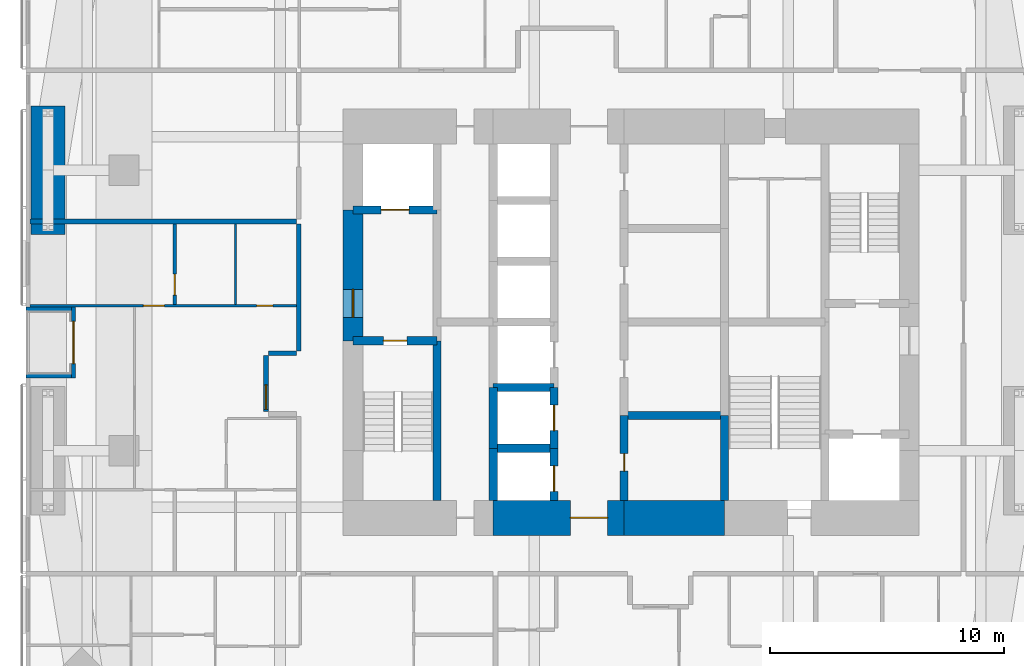
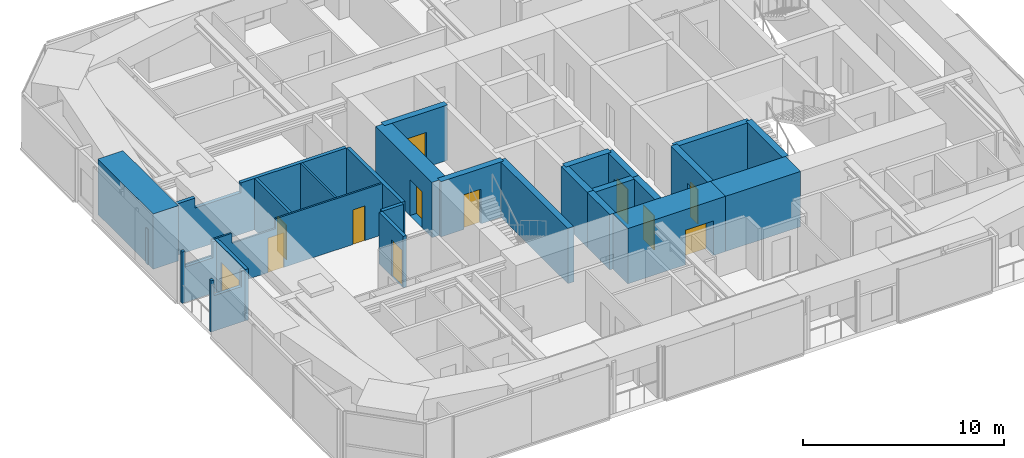
# One storey, part 18 of 23: 26 walls, 12 doors, 12 openings.
"""IFC4 building model written with IfcOpenShell, lengths in metres."""

from ifc_helpers import new_model, si_unit, direction, frame, frame_2d, origin, place, context, subcontext, project, spatial, polyline, rectangle, outline, extrude, material, layer, layer_set, constituent, constituent_set, type_object, element, fill, save


model = new_model("IFC4")

# Units and contexts
model_context = context("Model", 3, precision=1e-05, world=origin(), true_north=direction((0.0, 1.0)))
body_context = subcontext(model_context, "Body", "Model", "MODEL_VIEW")
ifc_project = project(units=[si_unit("LENGTHUNIT", "METRE"), si_unit("AREAUNIT", "SQUARE_METRE"), si_unit("VOLUMEUNIT", "CUBIC_METRE"), si_unit("PLANEANGLEUNIT", "RADIAN"), si_unit("MASSUNIT", "GRAM", prefix="KILO")], contexts=[model_context])

# Site, building, storey
site_placement = place(None, origin())
site = spatial("IfcSite", under=ifc_project, at=site_placement, CompositionType="ELEMENT")
building_placement = place(site_placement, origin())
building = spatial("IfcBuilding", under=site, at=building_placement, Name="Jalousie Tower", CompositionType="ELEMENT")
storey_placement = place(building_placement, frame((0.0, 0.0, 108.199951171875)))
storey = spatial("IfcBuildingStorey", under=building, at=storey_placement, Name="L29", CompositionType="ELEMENT", Elevation=108.199951171875)

# Wall, opening, door
ifc_material_1 = material(Name="Concrete block ASTM C90", Category="concrete")
ifc_constituent_1 = constituent(ifc_material_1, Name="Body")
ifc_material_2 = material(Name="Render")
ifc_constituent_2 = constituent(ifc_material_2, Name="Finish")
ifc_constituent_set_1 = constituent_set(constituents=[ifc_constituent_1, ifc_constituent_2])
wall_type_1 = type_object("IfcWallType", Name="BATHROOM WALL 150", PredefinedType="PLUMBINGWALL", material=ifc_constituent_set_1)
wall_1_placement = place(storey_placement, frame((12.375, 19.25, 0.0), z_axis=(0.0, 0.0, 1.0), x_axis=(0.0, 1.0, 0.0)))
wall_1 = element("IfcWall", 1, at=wall_1_placement, inside=storey, type_object=wall_type_1, Name="Bathroom Wall 150 L29", PredefinedType="PLUMBINGWALL", context=body_context, shape_type="SweptSolid", body=[
    extrude(rectangle(XDim=3.449951171875, YDim=0.14990234375, at=frame_2d((1.72509765625, 0.0))), origin(), (0.0, 0.0, 1.0), 3.110107421875),
])
opening_1_placement = place(wall_1_placement, frame((0.39990234375, 0.0, 0.0)))
opening_1 = element("IfcOpeningElement", 2, at=opening_1_placement, cuts=wall_1, Name="Opening D3", PredefinedType="OPENING", context=body_context, shape_type="SweptSolid", body=[
    extrude(rectangle(XDim=0.89990234375, YDim=2.10009765625, at=frame_2d((0.449951171875, 1.050048828125))), frame((0.0, 0.0849609375, 0.0), z_axis=(0.0, -1.0, 0.0), x_axis=(1.0, 0.0, 0.0)), (0.0, 0.0, 1.0), 0.169921875),
])
ifc_material_3 = material(Name="Timber door", Category="wood")
door_type_1 = type_object("IfcDoorType", Name="BATHROOM DOOR 900", OperationType="SINGLE_SWING_LEFT", PredefinedType="DOOR", material=ifc_material_3)
door_1_placement = place(opening_1_placement, frame((0.89990234375, 0.0, 0.0), z_axis=(0.0, 0.0, 1.0), x_axis=(-1.0, 0.0, 0.0)))
door_1 = element("IfcDoor", 3, at=door_1_placement, inside=storey, type_object=door_type_1, Name="Apartment 2905 bedroom 2 bathroom door", OperationType="SINGLE_SWING_RIGHT", OverallHeight=2.10009765625, OverallWidth=0.89990234375, PredefinedType="DOOR", context=body_context, shape_type="SweptSolid", body=[
    extrude(rectangle(XDim=0.89990234375, YDim=2.10009765625, at=frame_2d((0.449951171875, 1.050048828125))), frame((0.0, 0.02490234375, 0.0), z_axis=(0.0, -1.0, 0.0), x_axis=(1.0, 0.0, 0.0)), (0.0, 0.0, 1.0), 0.050048828125),
])
fill(opening_1, door_1)

ifc_material_4 = material(Name="Concrete f'c 120 MPa", Category="concrete")
ifc_layer_1 = layer(ifc_material_4, 1.5)
ifc_layer_set_1 = layer_set([ifc_layer_1], Name="Concrete f'c 120 MPa")
wall_type_2 = type_object("IfcWallType", Name="CORE WALL 1500", PredefinedType="SHEAR", material=ifc_layer_set_1)
wall_2_placement = place(storey_placement, frame((26.0, 10.125, 0.0), z_axis=(0.0, 0.0, 1.0), x_axis=(1.0, 0.0, 0.0)))
wall_2 = element("IfcWall", 4, at=wall_2_placement, inside=storey, type_object=wall_type_2, Name="Core wall SB L29", PredefinedType="SHEAR", context=body_context, shape_type="SweptSolid", body=[
    extrude(rectangle(XDim=5.60009765625, YDim=1.5, at=frame_2d((2.800048828125, 0.0))), origin(), (0.0, 0.0, 1.0), 3.35009765625),
])
opening_2_placement = place(wall_2_placement, frame((3.300048828125, 0.0, 0.0)))
opening_2 = element("IfcOpeningElement", 5, at=opening_2_placement, cuts=wall_2, Name="Opening D15", PredefinedType="OPENING", context=body_context, shape_type="SweptSolid", body=[
    extrude(rectangle(XDim=1.60009765625, YDim=2.10009765625, at=frame_2d((0.800048828125, 1.050048828125))), frame((0.0, 0.760009765625, 0.0), z_axis=(0.0, -1.0, 0.0), x_axis=(1.0, 0.0, 0.0)), (0.0, 0.0, 1.0), 1.52001953125),
])
ifc_material_5 = material(Name="Steel fire door", Category="steel")
door_type_2 = type_object("IfcDoorType", Name="LIFT LOBBY DOOR 1600", OperationType="DOUBLE_DOOR_SINGLE_SWING", PredefinedType="DOOR", material=ifc_material_5)
door_2_placement = place(opening_2_placement, origin())
door_2 = element("IfcDoor", 6, at=door_2_placement, inside=storey, type_object=door_type_2, Name="Lift lobby south door", OperationType="DOUBLE_DOOR_SINGLE_SWING", OverallHeight=2.10009765625, OverallWidth=1.60009765625, PredefinedType="DOOR", context=body_context, shape_type="SweptSolid", body=[
    extrude(rectangle(XDim=1.60009765625, YDim=2.10009765625, at=frame_2d((0.800048828125, 1.050048828125))), frame((0.0, 0.02490234375, 0.0), z_axis=(0.0, -1.0, 0.0), x_axis=(1.0, 0.0, 0.0)), (0.0, 0.0, 1.0), 0.050048828125),
])
fill(opening_2, door_2)

# Walls
wall_3_placement = place(storey_placement, frame((31.60009765625, 10.125, 0.0), z_axis=(0.0, 0.0, 1.0), x_axis=(1.0, 0.0, 0.0)))
element("IfcWall", 7, at=wall_3_placement, inside=storey, type_object=wall_type_2, Name="Core wall SC L29", PredefinedType="SHEAR", context=body_context, shape_type="SweptSolid", body=[
    extrude(rectangle(XDim=4.2998046875, YDim=1.5, at=frame_2d((2.14990234375, 0.0))), origin(), (0.0, 0.0, 1.0), 3.35009765625),
])
ifc_material_6 = material(Name="Concrete f'c 120 MPa", Category="concrete")
ifc_layer_2 = layer(ifc_material_6, 0.35009765625)
ifc_layer_set_2 = layer_set([ifc_layer_2], Name="Concrete f'c 120 MPa")
wall_type_3 = type_object("IfcWallType", Name="CORE WALL 350", PredefinedType="SHEAR", material=ifc_layer_set_2)
wall_4_placement = place(storey_placement, frame((23.60009765625, 10.875, 0.0), z_axis=(0.0, 0.0, 1.0), x_axis=(0.0, 1.0, 0.0)))
element("IfcWall", 8, at=wall_4_placement, inside=storey, type_object=wall_type_3, Name="Core wall X23.6A L29", PredefinedType="SHEAR", context=body_context, shape_type="SweptSolid", body=[
    extrude(rectangle(XDim=6.824951171875, YDim=0.35009765625, at=frame_2d((3.41259765625, 0.0))), origin(), (0.0, 0.0, 1.0), 3.35009765625),
])
wall_5_placement = place(storey_placement, frame((26.0, 10.875, 0.0), z_axis=(0.0, 0.0, 1.0), x_axis=(0.0, 1.0, 0.0)))
element("IfcWall", 9, at=wall_5_placement, inside=storey, type_object=wall_type_3, Name="Core wall X26A L29", PredefinedType="SHEAR", context=body_context, shape_type="SweptSolid", body=[
    extrude(rectangle(XDim=2.22509765625, YDim=0.35009765625, at=frame_2d((1.112548828125, 0.0))), origin(), (0.0, 0.0, 1.0), 3.35009765625),
])
wall_6_placement = place(storey_placement, frame((26.0, 13.10009765625, 0.0), z_axis=(0.0, 0.0, 1.0), x_axis=(0.0, 1.0, 0.0)))
element("IfcWall", 10, at=wall_6_placement, inside=storey, type_object=wall_type_3, Name="Core wall X26B L29", PredefinedType="SHEAR", context=body_context, shape_type="SweptSolid", body=[
    extrude(rectangle(XDim=2.599853515625, YDim=0.35009765625, at=frame_2d((1.2998046875, 0.0))), origin(), (0.0, 0.0, 1.0), 3.35009765625),
])

# Wall, opening, door
wall_7_placement = place(storey_placement, frame((28.60009765625, 10.875, 0.0), z_axis=(0.0, 0.0, 1.0), x_axis=(0.0, 1.0, 0.0)))
wall_7 = element("IfcWall", 11, at=wall_7_placement, inside=storey, type_object=wall_type_3, Name="Core wall X28.6A L29", PredefinedType="SHEAR", context=body_context, shape_type="SweptSolid", body=[
    extrude(rectangle(XDim=2.22509765625, YDim=0.35009765625, at=frame_2d((1.112548828125, 0.0))), origin(), (0.0, 0.0, 1.0), 3.35009765625),
])
opening_3_placement = place(wall_7_placement, frame((0.375, 0.0, 0.0)))
opening_3 = element("IfcOpeningElement", 12, at=opening_3_placement, cuts=wall_7, Name="Opening LD1", PredefinedType="OPENING", context=body_context, shape_type="SweptSolid", body=[
    extrude(rectangle(XDim=1.10009765625, YDim=2.10009765625, at=frame_2d((0.550048828125, 1.050048828125))), frame((0.0, 0.18505859375, 0.0), z_axis=(0.0, -1.0, 0.0), x_axis=(1.0, 0.0, 0.0)), (0.0, 0.0, 1.0), 0.3701171875),
])
ifc_material_7 = material(Name="Steel lift landing door", Category="steel")
door_type_3 = type_object("IfcDoorType", Name="LIFT LANDING DOOR 1100", OperationType="SLIDING_TO_LEFT", PredefinedType="DOOR", material=ifc_material_7)
door_3_placement = place(opening_3_placement, origin())
door_3 = element("IfcDoor", 13, at=door_3_placement, inside=storey, type_object=door_type_3, Name="Lift P1 landing door", OperationType="SLIDING_TO_LEFT", OverallHeight=2.10009765625, OverallWidth=1.10009765625, PredefinedType="DOOR", context=body_context, shape_type="SweptSolid", body=[
    extrude(rectangle(XDim=1.10009765625, YDim=2.10009765625, at=frame_2d((0.550048828125, 1.050048828125))), frame((0.0, 0.02490234375, 0.0), z_axis=(0.0, -1.0, 0.0), x_axis=(1.0, 0.0, 0.0)), (0.0, 0.0, 1.0), 0.050048828125),
])
fill(opening_3, door_3)

wall_8_placement = place(storey_placement, frame((28.60009765625, 13.10009765625, 0.0), z_axis=(0.0, 0.0, 1.0), x_axis=(0.0, 1.0, 0.0)))
wall_8 = element("IfcWall", 14, at=wall_8_placement, inside=storey, type_object=wall_type_3, Name="Core wall X28.6B L29", PredefinedType="SHEAR", context=body_context, shape_type="SweptSolid", body=[
    extrude(rectangle(XDim=2.599853515625, YDim=0.35009765625, at=frame_2d((1.2998046875, 0.0))), origin(), (0.0, 0.0, 1.0), 3.35009765625),
])
opening_4_placement = place(wall_8_placement, frame((0.75, 0.0, 0.0)))
opening_4 = element("IfcOpeningElement", 15, at=opening_4_placement, cuts=wall_8, Name="Opening LD1", PredefinedType="OPENING", context=body_context, shape_type="SweptSolid", body=[
    extrude(rectangle(XDim=1.10009765625, YDim=2.10009765625, at=frame_2d((0.550048828125, 1.050048828125))), frame((0.0, 0.18505859375, 0.0), z_axis=(0.0, -1.0, 0.0), x_axis=(1.0, 0.0, 0.0)), (0.0, 0.0, 1.0), 0.3701171875),
])
door_4_placement = place(opening_4_placement, origin())
door_4 = element("IfcDoor", 16, at=door_4_placement, inside=storey, type_object=door_type_3, Name="Lift P2 landing door", OperationType="SLIDING_TO_LEFT", OverallHeight=2.10009765625, OverallWidth=1.10009765625, PredefinedType="DOOR", context=body_context, shape_type="SweptSolid", body=[
    extrude(rectangle(XDim=1.10009765625, YDim=2.10009765625, at=frame_2d((0.550048828125, 1.050048828125))), frame((0.0, 0.02490234375, 0.0), z_axis=(0.0, -1.0, 0.0), x_axis=(1.0, 0.0, 0.0)), (0.0, 0.0, 1.0), 0.050048828125),
])
fill(opening_4, door_4)

wall_9_placement = place(storey_placement, frame((31.60009765625, 10.875, 0.0), z_axis=(0.0, 0.0, 1.0), x_axis=(0.0, 1.0, 0.0)))
wall_9 = element("IfcWall", 17, at=wall_9_placement, inside=storey, type_object=wall_type_3, Name="Core wall X31.6A L29", PredefinedType="SHEAR", context=body_context, shape_type="SweptSolid", body=[
    extrude(rectangle(XDim=3.625, YDim=0.35009765625, at=frame_2d((1.8125, 0.0))), origin(), (0.0, 0.0, 1.0), 3.35009765625),
])
opening_5_placement = place(wall_9_placement, frame((1.25, 0.0, 0.0)))
opening_5 = element("IfcOpeningElement", 18, at=opening_5_placement, cuts=wall_9, Name="Opening D16", PredefinedType="OPENING", context=body_context, shape_type="SweptSolid", body=[
    extrude(rectangle(XDim=0.75, YDim=2.10009765625, at=frame_2d((0.375, 1.050048828125))), frame((0.0, 0.18505859375, 0.0), z_axis=(0.0, -1.0, 0.0), x_axis=(1.0, 0.0, 0.0)), (0.0, 0.0, 1.0), 0.3701171875),
])
ifc_material_8 = material(Name="Steel fire door", Category="steel")
door_type_4 = type_object("IfcDoorType", Name="RISER DOOR 750", OperationType="SINGLE_SWING_LEFT", PredefinedType="DOOR", material=ifc_material_8)
door_5_placement = place(opening_5_placement, frame((0.75, 0.0, 0.0), z_axis=(0.0, 0.0, 1.0), x_axis=(-1.0, 0.0, 0.0)))
door_5 = element("IfcDoor", 19, at=door_5_placement, inside=storey, type_object=door_type_4, Name="Refuse Room door", OperationType="SINGLE_SWING_RIGHT", OverallHeight=2.10009765625, OverallWidth=0.75, PredefinedType="DOOR", context=body_context, shape_type="SweptSolid", body=[
    extrude(rectangle(XDim=0.75, YDim=2.10009765625, at=frame_2d((0.375, 1.050048828125))), frame((0.0, 0.02490234375, 0.0), z_axis=(0.0, -1.0, 0.0), x_axis=(1.0, 0.0, 0.0)), (0.0, 0.0, 1.0), 0.050048828125),
])
fill(opening_5, door_5)

# Wall
wall_10_placement = place(storey_placement, frame((35.89990234375, 10.875, 0.0), z_axis=(0.0, 0.0, 1.0), x_axis=(0.0, 1.0, 0.0)))
element("IfcWall", 20, at=wall_10_placement, inside=storey, type_object=wall_type_3, Name="Core wall X35.9A L29", PredefinedType="SHEAR", context=body_context, shape_type="SweptSolid", body=[
    extrude(rectangle(XDim=3.625, YDim=0.35009765625, at=frame_2d((1.8125, 0.0))), origin(), (0.0, 0.0, 1.0), 3.35009765625),
])

# Wall, opening, door
wall_11_placement = place(storey_placement, frame((20.0, 17.699951171875, 0.0), z_axis=(0.0, 0.0, 1.0), x_axis=(1.0, 0.0, 0.0)))
wall_11 = element("IfcWall", 21, at=wall_11_placement, inside=storey, type_object=wall_type_3, Name="Core wall Y20-17.7 L29", PredefinedType="SHEAR", context=body_context, shape_type="SweptSolid", body=[
    extrude(rectangle(XDim=3.60009765625, YDim=0.35009765625, at=frame_2d((1.800048828125, 0.0))), origin(), (0.0, 0.0, 1.0), 3.35009765625),
])
opening_6_placement = place(wall_11_placement, frame((1.300048828125, 0.0, 0.0)))
opening_6 = element("IfcOpeningElement", 22, at=opening_6_placement, cuts=wall_11, Name="Opening D10", PredefinedType="OPENING", context=body_context, shape_type="SweptSolid", body=[
    extrude(rectangle(XDim=1.0, YDim=2.10009765625, at=frame_2d((0.5, 1.050048828125))), frame((0.0, 0.18505859375, 0.0), z_axis=(0.0, -1.0, 0.0), x_axis=(1.0, 0.0, 0.0)), (0.0, 0.0, 1.0), 0.3701171875),
])
ifc_material_9 = material(Name="Steel fire door", Category="steel")
door_type_5 = type_object("IfcDoorType", Name="STAIR DOOR 1000", OperationType="SINGLE_SWING_LEFT", PredefinedType="DOOR", material=ifc_material_9)
door_6_placement = place(opening_6_placement, frame((1.0, 0.0, 0.0), z_axis=(0.0, 0.0, 1.0), x_axis=(-1.0, 0.0, 0.0)))
door_6 = element("IfcDoor", 23, at=door_6_placement, inside=storey, type_object=door_type_5, Name="Exit stair A door", OperationType="SINGLE_SWING_RIGHT", OverallHeight=2.10009765625, OverallWidth=1.0, PredefinedType="DOOR", context=body_context, shape_type="SweptSolid", body=[
    extrude(rectangle(XDim=1.0, YDim=2.10009765625, at=frame_2d((0.5, 1.050048828125))), frame((0.0, 0.02490234375, 0.0), z_axis=(0.0, -1.0, 0.0), x_axis=(1.0, 0.0, 0.0)), (0.0, 0.0, 1.0), 0.050048828125),
])
fill(opening_6, door_6)

wall_12_placement = place(storey_placement, frame((20.0, 23.300048828125, 0.0), z_axis=(0.0, 0.0, 1.0), x_axis=(1.0, 0.0, 0.0)))
wall_12 = element("IfcWall", 24, at=wall_12_placement, inside=storey, type_object=wall_type_3, Name="Core wall Y20-23.3 L29", PredefinedType="SHEAR", context=body_context, shape_type="SweptSolid", body=[
    extrude(rectangle(XDim=3.60009765625, YDim=0.35009765625, at=frame_2d((1.800048828125, 0.0))), origin(), (0.0, 0.0, 1.0), 3.35009765625),
])
opening_7_placement = place(wall_12_placement, frame((1.199951171875, 0.0, 0.0)))
opening_7 = element("IfcOpeningElement", 25, at=opening_7_placement, cuts=wall_12, Name="Opening LD2", PredefinedType="OPENING", context=body_context, shape_type="SweptSolid", body=[
    extrude(rectangle(XDim=1.199951171875, YDim=2.10009765625, at=frame_2d((0.60009765625, 1.050048828125))), frame((0.0, 0.18505859375, 0.0), z_axis=(0.0, -1.0, 0.0), x_axis=(1.0, 0.0, 0.0)), (0.0, 0.0, 1.0), 0.3701171875),
])
ifc_material_10 = material(Name="Steel lift landing door", Category="steel")
door_type_6 = type_object("IfcDoorType", Name="LIFT LANDING DOOR 1200", OperationType="SLIDING_TO_LEFT", PredefinedType="DOOR", material=ifc_material_10)
door_7_placement = place(opening_7_placement, origin())
door_7 = element("IfcDoor", 26, at=door_7_placement, inside=storey, type_object=door_type_6, Name="Lift F1 landing door", OperationType="SLIDING_TO_LEFT", OverallHeight=2.10009765625, OverallWidth=1.199951171875, PredefinedType="DOOR", context=body_context, shape_type="SweptSolid", body=[
    extrude(rectangle(XDim=1.199951171875, YDim=2.10009765625, at=frame_2d((0.60009765625, 1.050048828125))), frame((0.0, 0.02490234375, 0.0), z_axis=(0.0, -1.0, 0.0), x_axis=(1.0, 0.0, 0.0)), (0.0, 0.0, 1.0), 0.050048828125),
])
fill(opening_7, door_7)

# Walls
for number, where, z_axis, x_axis, name in (
    (27, (26.0, 13.10009765625, 0.0), (0.0, 0.0, 1.0), (1.0, 0.0, 0.0), "Core wall Y26-13.1 L29"),
    (28, (26.0, 15.699951171875, 0.0), (0.0, 0.0, 1.0), (1.0, 0.0, 0.0), "Core wall Y26-15.7 L29"),
):
    element("IfcWall", number, at=place(storey_placement, frame(where, z_axis=z_axis, x_axis=x_axis)), inside=storey, type_object=wall_type_3, Name=name, PredefinedType="SHEAR", context=body_context, shape_type="SweptSolid", body=[
        extrude(rectangle(XDim=2.60009765625, YDim=0.35009765625, at=frame_2d((1.300048828125, 0.0))), origin(), (0.0, 0.0, 1.0), 3.35009765625),
    ])
wall_13_placement = place(storey_placement, frame((31.60009765625, 14.5, 0.0), z_axis=(0.0, 0.0, 1.0), x_axis=(1.0, 0.0, 0.0)))
element("IfcWall", 29, at=wall_13_placement, inside=storey, type_object=wall_type_3, Name="Core wall Y31.6-14.5 L29", PredefinedType="SHEAR", context=body_context, shape_type="SweptSolid", body=[
    extrude(rectangle(XDim=4.2998046875, YDim=0.35009765625, at=frame_2d((2.14990234375, 0.0))), origin(), (0.0, 0.0, 1.0), 3.35009765625),
])

# Wall, opening, door
ifc_material_11 = material(Name="Concrete f'c 120 MPa", Category="concrete")
ifc_layer_3 = layer(ifc_material_11, 0.85009765625)
ifc_layer_set_3 = layer_set([ifc_layer_3], Name="Concrete f'c 120 MPa")
wall_type_4 = type_object("IfcWallType", Name="CORE WALL 850", PredefinedType="SHEAR", material=ifc_layer_set_3)
wall_14_placement = place(storey_placement, frame((20.0, 23.300048828125, 0.0), z_axis=(0.0, 0.0, 1.0), x_axis=(0.0, -1.0, 0.0)))
wall_14 = element("IfcWall", 30, at=wall_14_placement, inside=storey, type_object=wall_type_4, Name="Core wall WB L29", PredefinedType="SHEAR", context=body_context, shape_type="SweptSolid", body=[
    extrude(rectangle(XDim=5.60009765625, YDim=0.85009765625, at=frame_2d((2.800048828125, 0.0))), origin(), (0.0, 0.0, 1.0), 3.35009765625),
])
opening_8_placement = place(wall_14_placement, frame((3.39990234375, 0.0, 0.0)))
opening_8 = element("IfcOpeningElement", 31, at=opening_8_placement, cuts=wall_14, Name="Opening D11", PredefinedType="OPENING", context=body_context, shape_type="SweptSolid", body=[
    extrude(rectangle(XDim=1.199951171875, YDim=2.199951171875, at=frame_2d((0.60009765625, 1.10009765625))), frame((0.0, 0.43505859375, 0.0), z_axis=(0.0, -1.0, 0.0), x_axis=(1.0, 0.0, 0.0)), (0.0, 0.0, 1.0), 0.8701171875),
])
ifc_material_12 = material(Name="Steel fire door", Category="steel")
door_type_7 = type_object("IfcDoorType", Name="FIRE DOOR 1200", OperationType="SINGLE_SWING_LEFT", PredefinedType="DOOR", material=ifc_material_12)
door_8_placement = place(opening_8_placement, origin())
door_8 = element("IfcDoor", 32, at=door_8_placement, inside=storey, type_object=door_type_7, Name="Fire-fighting lobby A door", OperationType="SINGLE_SWING_RIGHT", OverallHeight=2.199951171875, OverallWidth=1.199951171875, PredefinedType="DOOR", context=body_context, shape_type="SweptSolid", body=[
    extrude(rectangle(XDim=1.199951171875, YDim=2.199951171875, at=frame_2d((0.60009765625, 1.10009765625))), frame((0.0, 0.02490234375, 0.0), z_axis=(0.0, -1.0, 0.0), x_axis=(1.0, 0.0, 0.0)), (0.0, 0.0, 1.0), 0.050048828125),
])
fill(opening_8, door_8)

# Wall
ifc_material_13 = material(Name="Concrete block ASTM C90", Category="concrete")
ifc_constituent_3 = constituent(ifc_material_13, Name="Body")
ifc_material_14 = material(Name="Render")
ifc_constituent_4 = constituent(ifc_material_14, Name="Finish")
ifc_constituent_set_2 = constituent_set(constituents=[ifc_constituent_3, ifc_constituent_4])
wall_type_5 = type_object("IfcWallType", Name="CORRIDOR WALL 200", PredefinedType="PARTITIONING", material=ifc_constituent_set_2)
wall_15_placement = place(storey_placement, frame((17.675048828125, 17.262451171875, 0.0), z_axis=(0.0, 0.0, 1.0), x_axis=(0.0, 1.0, 0.0)))
element("IfcWall", 33, at=wall_15_placement, inside=storey, type_object=wall_type_5, Name="Corridor Wall 200 L29", PredefinedType="PARTITIONING", context=body_context, shape_type="SweptSolid", body=[
    extrude(rectangle(XDim=5.4375, YDim=0.199951171875, at=frame_2d((2.71875, 0.0))), origin(), (0.0, 0.0, 1.0), 3.110107421875),
])

# Wall, opening, door
wall_16_placement = place(storey_placement, frame((16.27490234375, 14.66259765625, 0.0), z_axis=(0.0, 0.0, 1.0), x_axis=(0.0, 1.0, 0.0)))
wall_16 = element("IfcWall", 34, at=wall_16_placement, inside=storey, type_object=wall_type_5, Name="Corridor Wall 200 L29", PredefinedType="PARTITIONING", context=body_context, shape_type="SweptSolid", body=[
    extrude(rectangle(XDim=2.39990234375, YDim=0.199951171875, at=frame_2d((1.199951171875, 0.0))), origin(), (0.0, 0.0, 1.0), 3.110107421875),
])
opening_9_placement = place(wall_16_placement, frame((0.10009765625, 0.0, 0.0)))
opening_9 = element("IfcOpeningElement", 35, at=opening_9_placement, cuts=wall_16, Name="Opening D1", PredefinedType="OPENING", context=body_context, shape_type="SweptSolid", body=[
    extrude(rectangle(XDim=1.050048828125, YDim=2.199951171875, at=frame_2d((0.52490234375, 1.10009765625))), frame((0.0, 0.10986328125, 0.0), z_axis=(0.0, -1.0, 0.0), x_axis=(1.0, 0.0, 0.0)), (0.0, 0.0, 1.0), 0.219970703125),
])
ifc_material_15 = material(Name="Timber fire door", Category="wood")
door_type_8 = type_object("IfcDoorType", Name="APARTMENT ENTRANCE DOOR 1050", OperationType="SINGLE_SWING_LEFT", PredefinedType="DOOR", material=ifc_material_15)
door_9_placement = place(opening_9_placement, origin())
door_9 = element("IfcDoor", 36, at=door_9_placement, inside=storey, type_object=door_type_8, Name="Apartment 2905 entrance", OperationType="SINGLE_SWING_LEFT", OverallHeight=2.199951171875, OverallWidth=1.050048828125, PredefinedType="DOOR", context=body_context, shape_type="SweptSolid", body=[
    extrude(rectangle(XDim=1.050048828125, YDim=2.199951171875, at=frame_2d((0.52490234375, 1.10009765625))), frame((0.0, 0.02490234375, 0.0), z_axis=(0.0, -1.0, 0.0), x_axis=(1.0, 0.0, 0.0)), (0.0, 0.0, 1.0), 0.050048828125),
])
fill(opening_9, door_9)

# Wall
wall_17_placement = place(storey_placement, frame((17.574951171875, 17.16259765625, 0.0), z_axis=(0.0, 0.0, 1.0), x_axis=(-1.0, 0.0, 0.0)))
element("IfcWall", 37, at=wall_17_placement, inside=storey, type_object=wall_type_5, Name="Corridor Wall 200 L29", PredefinedType="PARTITIONING", context=body_context, shape_type="SweptSolid", body=[
    extrude(rectangle(XDim=1.199951171875, YDim=0.199951171875, at=frame_2d((0.60009765625, 0.0))), origin(), (0.0, 0.0, 1.0), 3.110107421875),
])

# Wall, opening, door
ifc_material_16 = material(Name="Concrete f'c 40 MPa", Category="concrete")
ifc_constituent_5 = constituent(ifc_material_16, Name="Body")
ifc_material_17 = material(Name="Render, pastel sea green")
ifc_constituent_6 = constituent(ifc_material_17, Name="Finish")
ifc_constituent_set_3 = constituent_set(constituents=[ifc_constituent_5, ifc_constituent_6])
wall_type_6 = type_object("IfcWallType", Name="EXTERNAL WALL 175 SEA GREEN RENDER", PredefinedType="SOLIDWALL", material=ifc_constituent_set_3)
wall_18_placement = place(storey_placement, frame((8.03759765625, 19.14990234375, 0.0), z_axis=(0.0, 0.0, 1.0), x_axis=(0.0, -1.0, 0.0)))
wall_18 = element("IfcWall", 38, at=wall_18_placement, inside=storey, type_object=wall_type_6, Name="External Wall 175 Sea Green Render L29", PredefinedType="SOLIDWALL", context=body_context, shape_type="SweptSolid", body=[
    extrude(rectangle(XDim=3.0498046875, YDim=0.175048828125, at=frame_2d((1.52490234375, 0.0))), origin(), (0.0, 0.0, 1.0), 3.110107421875),
])
opening_10_placement = place(wall_18_placement, frame((0.625, 0.0, 0.0)))
opening_10 = element("IfcOpeningElement", 39, at=opening_10_placement, cuts=wall_18, Name="Opening D-BAL21", PredefinedType="OPENING", context=body_context, shape_type="SweptSolid", body=[
    extrude(rectangle(XDim=1.800048828125, YDim=2.10009765625, at=frame_2d((0.89990234375, 1.050048828125))), frame((0.0, 0.097412109375, 0.0), z_axis=(0.0, -1.0, 0.0), x_axis=(1.0, 0.0, 0.0)), (0.0, 0.0, 1.0), 0.195068359375),
])
ifc_material_18 = material(Name="Aluminium frame, impact-rated glazing", Category="aluminium")
door_type_9 = type_object("IfcDoorType", Name="BALCONY DOOR 1800x2100", OperationType="SLIDING_TO_LEFT", PredefinedType="DOOR", material=ifc_material_18)
door_10_placement = place(opening_10_placement, origin())
door_10 = element("IfcDoor", 40, at=door_10_placement, inside=storey, type_object=door_type_9, Name="Apartment 2905 living and dining room loggia door", OperationType="SLIDING_TO_LEFT", OverallHeight=2.10009765625, OverallWidth=1.800048828125, PredefinedType="DOOR", context=body_context, shape_type="SweptSolid", body=[
    extrude(rectangle(XDim=1.800048828125, YDim=2.10009765625, at=frame_2d((0.89990234375, 1.050048828125))), frame((0.0, 0.02490234375, 0.0), z_axis=(0.0, -1.0, 0.0), x_axis=(1.0, 0.0, 0.0)), (0.0, 0.0, 1.0), 0.050048828125),
])
fill(opening_10, door_10)

# Walls
for number, where, z_axis, x_axis, name in (
    (41, (6.0, 19.0625, 0.0), (0.0, 0.0, 1.0), (1.0, 0.0, 0.0), "External Wall 175 Sea Green Render L29"),
    (42, (6.0, 16.1875, 0.0), (0.0, 0.0, 1.0), (1.0, 0.0, 0.0), "External Wall 175 Sea Green Render L29"),
):
    element("IfcWall", number, at=place(storey_placement, frame(where, z_axis=z_axis, x_axis=x_axis)), inside=storey, type_object=wall_type_6, Name=name, PredefinedType="SOLIDWALL", context=body_context, shape_type="SweptSolid", body=[
        extrude(outline(polyline([(0.0, 0.0), (1.949951171875, 0.0), (1.949951171875, 3.110107421875), (1.75, 3.110107421875), (1.75, 2.150146484375), (0.14990234375, 2.150146484375), (0.14990234375, 3.110107421875), (0.0, 3.110107421875), (0.0, 0.0)])), frame((0.0, 0.08740234375, 0.0), z_axis=(0.0, -1.0, 0.0), x_axis=(1.0, 0.0, 0.0)), (0.0, 0.0, 1.0), 0.175048828125),
    ])

# Wall, openings, doors
ifc_material_19 = material(Name="Gypsum board", Category="gypsum")
ifc_constituent_7 = constituent(ifc_material_19, Name="Body")
ifc_material_20 = material(Name="Light-gauge steel studs ASTM A653 SS Grade 33", Category="steel")
ifc_constituent_8 = constituent(ifc_material_20, Name="Framing")
ifc_constituent_set_4 = constituent_set(constituents=[ifc_constituent_7, ifc_constituent_8])
wall_type_7 = type_object("IfcWallType", Name="PARTITION 100", PredefinedType="PARTITIONING", material=ifc_constituent_set_4)
wall_19_placement = place(storey_placement, frame((6.175048828125, 19.199951171875, 0.0), z_axis=(0.0, 0.0, 1.0), x_axis=(1.0, 0.0, 0.0)))
wall_19 = element("IfcWall", 43, at=wall_19_placement, inside=storey, type_object=wall_type_7, Name="Partition 100 L29", PredefinedType="PARTITIONING", context=body_context, shape_type="SweptSolid", body=[
    extrude(outline(polyline([(0.0, 0.0), (11.39990234375, 0.0), (11.39990234375, 3.110107421875), (5.284912109375, 3.110107421875), (5.284912109375, 2.510009765625), (2.764892578125, 2.510009765625), (2.764892578125, 3.110107421875), (1.635009765625, 3.110107421875), (1.635009765625, 2.150146484375), (0.0, 2.150146484375), (0.0, 3.110107421875), (0.0, 0.0)])), frame((0.0, 0.050048828125, 0.0), z_axis=(0.0, -1.0, 0.0), x_axis=(1.0, 0.0, 0.0)), (0.0, 0.0, 1.0), 0.10009765625),
])
opening_11_placement = place(wall_19_placement, frame((4.85009765625, 0.0, 0.0)))
opening_11 = element("IfcOpeningElement", 44, at=opening_11_placement, cuts=wall_19, Name="Opening D2", PredefinedType="OPENING", context=body_context, shape_type="SweptSolid", body=[
    extrude(rectangle(XDim=0.89990234375, YDim=2.10009765625, at=frame_2d((0.449951171875, 1.050048828125))), frame((0.0, 0.06005859375, 0.0), z_axis=(0.0, -1.0, 0.0), x_axis=(1.0, 0.0, 0.0)), (0.0, 0.0, 1.0), 0.1201171875),
])
opening_12_placement = place(wall_19_placement, frame((9.699951171875, 0.0, 0.0)))
opening_12 = element("IfcOpeningElement", 45, at=opening_12_placement, cuts=wall_19, Name="Opening D4", PredefinedType="OPENING", context=body_context, shape_type="SweptSolid", body=[
    extrude(rectangle(XDim=0.699951171875, YDim=2.10009765625, at=frame_2d((0.35009765625, 1.050048828125))), frame((0.0, 0.06005859375, 0.0), z_axis=(0.0, -1.0, 0.0), x_axis=(1.0, 0.0, 0.0)), (0.0, 0.0, 1.0), 0.1201171875),
])
ifc_material_21 = material(Name="Timber door", Category="wood")
door_type_10 = type_object("IfcDoorType", Name="BEDROOM DOOR 900", OperationType="SINGLE_SWING_LEFT", PredefinedType="DOOR", material=ifc_material_21)
door_11_placement = place(opening_11_placement, origin())
door_11 = element("IfcDoor", 46, at=door_11_placement, inside=storey, type_object=door_type_10, Name="Apartment 2905 bedroom 2 door", OperationType="SINGLE_SWING_RIGHT", OverallHeight=2.10009765625, OverallWidth=0.89990234375, PredefinedType="DOOR", context=body_context, shape_type="SweptSolid", body=[
    extrude(rectangle(XDim=0.89990234375, YDim=2.10009765625, at=frame_2d((0.449951171875, 1.050048828125))), frame((0.0, 0.02490234375, 0.0), z_axis=(0.0, -1.0, 0.0), x_axis=(1.0, 0.0, 0.0)), (0.0, 0.0, 1.0), 0.050048828125),
])
fill(opening_11, door_11)
ifc_material_22 = material(Name="Timber door", Category="wood")
door_type_11 = type_object("IfcDoorType", Name="STORE DOOR 700", OperationType="SINGLE_SWING_LEFT", PredefinedType="DOOR", material=ifc_material_22)
door_12_placement = place(opening_12_placement, origin())
door_12 = element("IfcDoor", 47, at=door_12_placement, inside=storey, type_object=door_type_11, Name="Apartment 2905 store door", OperationType="SINGLE_SWING_LEFT", OverallHeight=2.10009765625, OverallWidth=0.699951171875, PredefinedType="DOOR", context=body_context, shape_type="SweptSolid", body=[
    extrude(rectangle(XDim=0.699951171875, YDim=2.10009765625, at=frame_2d((0.35009765625, 1.050048828125))), frame((0.0, 0.02490234375, 0.0), z_axis=(0.0, -1.0, 0.0), x_axis=(1.0, 0.0, 0.0)), (0.0, 0.0, 1.0), 0.050048828125),
])
fill(opening_12, door_12)

# Walls
wall_20_placement = place(storey_placement, frame((14.97509765625, 19.25, 0.0), z_axis=(0.0, 0.0, 1.0), x_axis=(0.0, 1.0, 0.0)))
element("IfcWall", 48, at=wall_20_placement, inside=storey, type_object=wall_type_7, Name="Partition 100 L29", PredefinedType="PARTITIONING", context=body_context, shape_type="SweptSolid", body=[
    extrude(rectangle(XDim=3.449951171875, YDim=0.10009765625, at=frame_2d((1.72509765625, 0.0))), origin(), (0.0, 0.0, 1.0), 3.110107421875),
])
ifc_material_23 = material(Name="Concrete block ASTM C90", Category="concrete")
ifc_constituent_9 = constituent(ifc_material_23, Name="Body")
ifc_material_24 = material(Name="Render")
ifc_constituent_10 = constituent(ifc_material_24, Name="Finish")
ifc_constituent_set_5 = constituent_set(constituents=[ifc_constituent_9, ifc_constituent_10])
wall_type_8 = type_object("IfcWallType", Name="PARTY WALL 200", PredefinedType="PARTITIONING", material=ifc_constituent_set_5)
wall_21_placement = place(storey_placement, frame((6.175048828125, 22.800048828125, 0.0), z_axis=(0.0, 0.0, 1.0), x_axis=(1.0, 0.0, 0.0)))
element("IfcWall", 49, at=wall_21_placement, inside=storey, type_object=wall_type_8, Name="Party Wall 200 L29", PredefinedType="PARTITIONING", context=body_context, shape_type="SweptSolid", body=[
    extrude(outline(polyline([(0.0, 0.0), (11.39990234375, 0.0), (11.39990234375, 3.110107421875), (5.3349609375, 3.110107421875), (5.3349609375, 2.510009765625), (2.715087890625, 2.510009765625), (2.715087890625, 3.110107421875), (1.68505859375, 3.110107421875), (1.68505859375, 2.150146484375), (0.0, 2.150146484375), (0.0, 0.0)])), frame((0.0, 0.10009765625, 0.0), z_axis=(0.0, -1.0, 0.0), x_axis=(1.0, 0.0, 0.0)), (0.0, 0.0, 1.0), 0.199951171875),
])
ifc_material_25 = material(Name="Concrete f'c 120 MPa", Category="concrete")
ifc_layer_4 = layer(ifc_material_25, 1.449951171875)
ifc_layer_set_4 = layer_set([ifc_layer_4], Name="Concrete f'c 120 MPa")
wall_type_9 = type_object("IfcWallType", Name="RC WALL PIER 1450", PredefinedType="SHEAR", material=ifc_layer_set_4)
wall_22_placement = place(storey_placement, frame((6.949951171875, 22.25, 0.0), z_axis=(0.0, 0.0, 1.0), x_axis=(0.0, 1.0, 0.0)))
element("IfcWall", 50, at=wall_22_placement, inside=storey, type_object=wall_type_9, Name="Wall pier 13 L29", PredefinedType="SHEAR", context=body_context, shape_type="SweptSolid", body=[
    extrude(rectangle(XDim=5.5, YDim=1.449951171875, at=frame_2d((2.75, 0.0))), origin(), (0.0, 0.0, 1.0), 3.35009765625),
])

save(model, "model.ifc")
